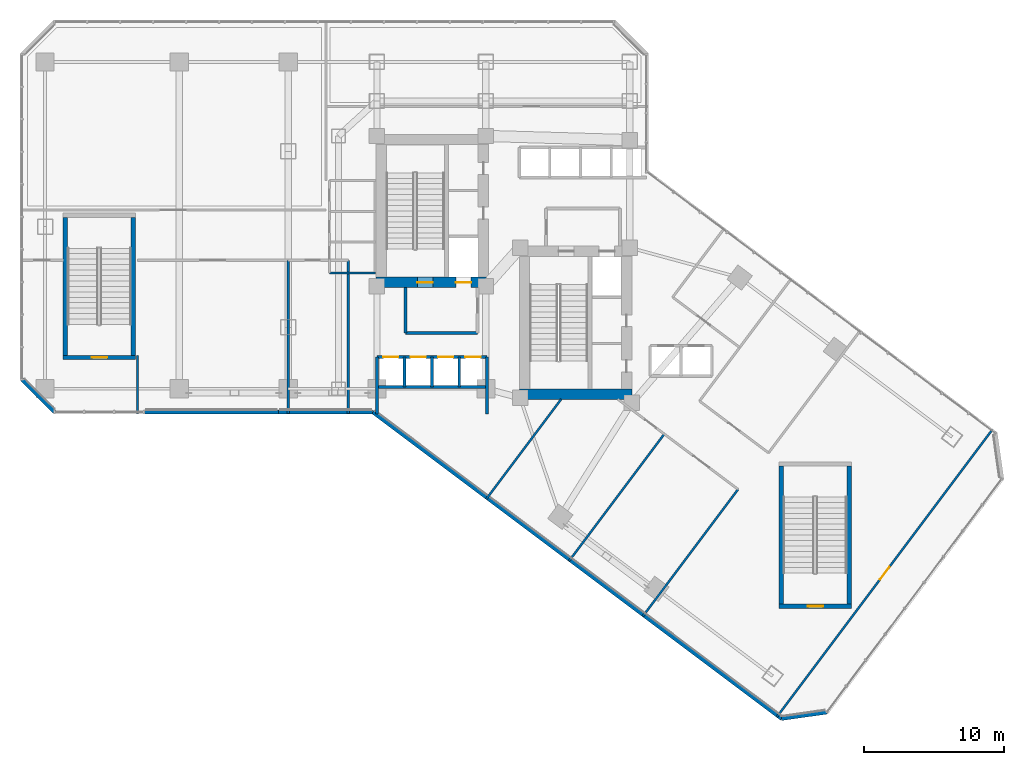
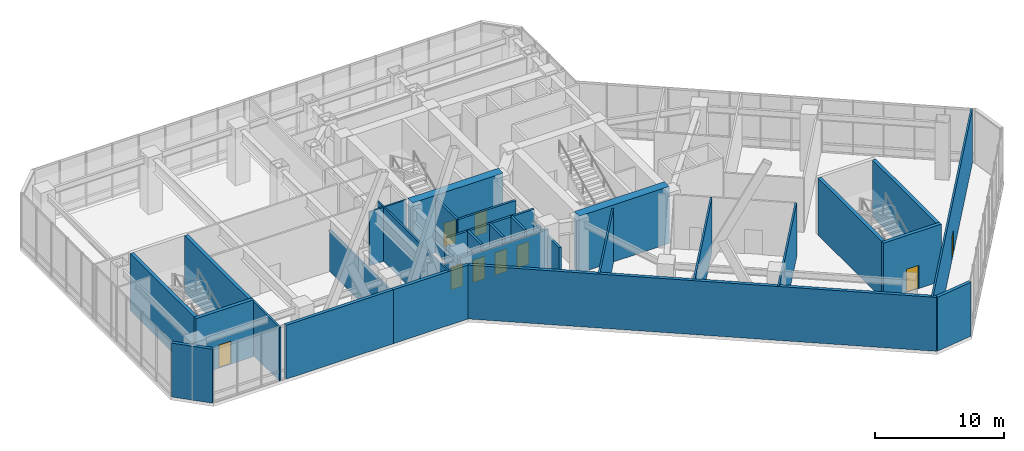
# One storey, part 27 of 35: 30 walls, 9 doors, 9 openings.
"""IFC4 building model written with IfcOpenShell, lengths in metres."""

from ifc_helpers import new_model, si_unit, direction, frame, frame_2d, origin, place, context, subcontext, project, spatial, rectangle, extrude, material, layer, layer_set, type_object, element, fill, save


model = new_model("IFC4")

# Units and contexts
model_context = context("Model", 3, precision=1e-05, world=origin(), true_north=direction((0.0, 1.0)))
body_context = subcontext(model_context, "Body", "Model", "MODEL_VIEW")
ifc_project = project(units=[si_unit("LENGTHUNIT", "METRE"), si_unit("AREAUNIT", "SQUARE_METRE"), si_unit("VOLUMEUNIT", "CUBIC_METRE"), si_unit("PLANEANGLEUNIT", "RADIAN"), si_unit("MASSUNIT", "GRAM", prefix="KILO")], contexts=[model_context])

# Site, building, storey
site_placement = place(None, origin())
site = spatial("IfcSite", under=ifc_project, at=site_placement, CompositionType="ELEMENT")
building_placement = place(site_placement, origin())
building = spatial("IfcBuilding", under=site, at=building_placement, Name="Hatsunagi Terrace Concourse", CompositionType="ELEMENT")
storey_placement = place(building_placement, frame((0.0, 0.0, 5.39990234375)))
storey = spatial("IfcBuildingStorey", under=building, at=storey_placement, Name="L02", CompositionType="ELEMENT", Elevation=5.39990234375)

# Wall, openings, doors
ifc_material_1 = material(Name="Concrete Fc60", Category="concrete")
ifc_layer_1 = layer(ifc_material_1, 0.75)
ifc_layer_set_1 = layer_set([ifc_layer_1], Name="CoreShearWall_Fc60_750")
wall_type_1 = type_object("IfcWallType", Name="CoreShearWall_Fc60_750", PredefinedType="SHEAR", material=ifc_layer_set_1)
wall_1_placement = place(storey_placement, frame((25.469970703125, 32.81494140625, 0.0), z_axis=(0.0, 0.0, 1.0), x_axis=(1.0, 0.0, 0.0)))
wall_1 = element("IfcWall", 1, at=wall_1_placement, inside=storey, type_object=wall_type_1, Name="Core A Shear Wall S L02", PredefinedType="SHEAR", context=body_context, shape_type="SweptSolid", body=[
    extrude(rectangle(XDim=8.080078125, YDim=0.75, at=frame_2d((4.0400390625, 0.0))), origin(), (0.0, 0.0, 1.0), 5.400146484375),
])
opening_1_placement = place(wall_1_placement, frame((2.97998046875, 0.0, 0.0)))
opening_1 = element("IfcOpeningElement", 2, at=opening_1_placement, cuts=wall_1, Name="Opening DR-110S", PredefinedType="OPENING", context=body_context, shape_type="SweptSolid", body=[
    extrude(rectangle(XDim=1.10009765625, YDim=2.199951171875, at=frame_2d((0.550048828125, 1.10009765625))), frame((0.0, 0.385009765625, 0.0), z_axis=(0.0, -1.0, 0.0), x_axis=(1.0, 0.0, 0.0)), (0.0, 0.0, 1.0), 0.77001953125),
])
opening_2_placement = place(wall_1_placement, frame((5.72998046875, 0.0, 0.0)))
opening_2 = element("IfcOpeningElement", 3, at=opening_2_placement, cuts=wall_1, Name="Opening LD-01", PredefinedType="OPENING", context=body_context, shape_type="SweptSolid", body=[
    extrude(rectangle(XDim=1.10009765625, YDim=2.14990234375, at=frame_2d((0.550048828125, 1.074951171875))), frame((0.0, 0.385009765625, 0.0), z_axis=(0.0, -1.0, 0.0), x_axis=(1.0, 0.0, 0.0)), (0.0, 0.0, 1.0), 0.77001953125),
])
ifc_material_2 = material(Name="Stainless steel", Category="steel")
door_type_1 = type_object("IfcDoorType", Name="LiftLandingDoor_LD01", OperationType="SLIDING_TO_LEFT", PredefinedType="USERDEFINED", material=ifc_material_2)
door_1_placement = place(opening_2_placement, origin())
door_1 = element("IfcDoor", 4, at=door_1_placement, inside=storey, type_object=door_type_1, Name="Lift landing door FF-01 L02", ObjectType="SLIDING_LANDING_DOOR", OperationType="SLIDING_TO_LEFT", OverallHeight=2.14990234375, OverallWidth=1.10009765625, PredefinedType="USERDEFINED", context=body_context, shape_type="SweptSolid", body=[
    extrude(rectangle(XDim=1.10009765625, YDim=2.14990234375, at=frame_2d((0.550048828125, 1.074951171875))), frame((0.0, 0.02490234375, 0.0), z_axis=(0.0, -1.0, 0.0), x_axis=(1.0, 0.0, 0.0)), (0.0, 0.0, 1.0), 0.050048828125),
])
fill(opening_2, door_1)
ifc_material_3 = material(Name="Painted steel", Category="steel")
door_type_2 = type_object("IfcDoorType", Name="StairFireDoor_EI60_1100", OperationType="NOTDEFINED", PredefinedType="DOOR", material=ifc_material_3)
door_2_placement = place(opening_1_placement, origin())
door_2 = element("IfcDoor", 5, at=door_2_placement, inside=storey, type_object=door_type_2, Name="Stair ST-A Exit Door L02", OperationType="SINGLE_SWING_LEFT", OverallHeight=2.199951171875, OverallWidth=1.10009765625, PredefinedType="DOOR", context=body_context, shape_type="SweptSolid", body=[
    extrude(rectangle(XDim=1.10009765625, YDim=2.199951171875, at=frame_2d((0.550048828125, 1.10009765625))), frame((0.0, 0.02490234375, 0.0), z_axis=(0.0, -1.0, 0.0), x_axis=(1.0, 0.0, 0.0)), (0.0, 0.0, 1.0), 0.050048828125),
])
fill(opening_1, door_2)

# Wall
wall_2_placement = place(storey_placement, frame((35.739990234375, 24.81494140625, 0.0), z_axis=(0.0, 0.0, 1.0), x_axis=(1.0, 0.0, 0.0)))
element("IfcWall", 6, at=wall_2_placement, inside=storey, type_object=wall_type_1, Name="Core B Shear Wall S L02", PredefinedType="SHEAR", context=body_context, shape_type="SweptSolid", body=[
    extrude(rectangle(XDim=8.06005859375, YDim=0.75, at=frame_2d((4.030029296875, 0.0))), origin(), (0.0, 0.0, 1.0), 5.400146484375),
])

# Wall, opening, door
ifc_material_4 = material(Name="Concrete Fc48", Category="concrete")
ifc_layer_2 = layer(ifc_material_4, 0.300048828125)
ifc_layer_set_2 = layer_set([ifc_layer_2], Name="CoreStairDivider_Fc48_300")
wall_type_2 = type_object("IfcWallType", Name="CoreStairDivider_Fc48_300", PredefinedType="SHEAR", material=ifc_layer_set_2)
wall_3_placement = place(storey_placement, frame((3.090087890625, 27.43994140625, 0.0), z_axis=(0.0, 0.0, 1.0), x_axis=(1.0, 0.0, 0.0)))
wall_3 = element("IfcWall", 7, at=wall_3_placement, inside=storey, type_object=wall_type_2, Name="Podium Stair P1 Shear Wall S L02", PredefinedType="SHEAR", context=body_context, shape_type="SweptSolid", body=[
    extrude(rectangle(XDim=5.169921875, YDim=0.300048828125, at=frame_2d((2.5849609375, 0.0))), origin(), (0.0, 0.0, 1.0), 5.400146484375),
])
opening_3_placement = place(wall_3_placement, frame((2.06005859375, 0.0, 0.0)))
opening_3 = element("IfcOpeningElement", 8, at=opening_3_placement, cuts=wall_3, Name="Opening DR-110S", PredefinedType="OPENING", context=body_context, shape_type="SweptSolid", body=[
    extrude(rectangle(XDim=1.10009765625, YDim=2.199951171875, at=frame_2d((0.550048828125, 1.10009765625))), frame((0.0, 0.159912109375, 0.0), z_axis=(0.0, -1.0, 0.0), x_axis=(1.0, 0.0, 0.0)), (0.0, 0.0, 1.0), 0.320068359375),
])
door_3_placement = place(opening_3_placement, origin())
door_3 = element("IfcDoor", 9, at=door_3_placement, inside=storey, type_object=door_type_2, Name="Stair ST-P1 Exit Door L02", OperationType="SINGLE_SWING_LEFT", OverallHeight=2.199951171875, OverallWidth=1.10009765625, PredefinedType="DOOR", context=body_context, shape_type="SweptSolid", body=[
    extrude(rectangle(XDim=1.10009765625, YDim=2.199951171875, at=frame_2d((0.550048828125, 1.10009765625))), frame((0.0, 0.02490234375, 0.0), z_axis=(0.0, -1.0, 0.0), x_axis=(1.0, 0.0, 0.0)), (0.0, 0.0, 1.0), 0.050048828125),
])
fill(opening_3, door_3)

# Walls
for number, where, z_axis, x_axis, name in (
    (10, (3.239990234375, 27.590087890625, 0.0), (0.0, 0.0, 1.0), (0.0, 1.0, 0.0), "Podium Stair P1 Shear Wall W L02"),
    (11, (8.110107421875, 27.590087890625, 0.0), (0.0, 0.0, 1.0), (0.0, 1.0, 0.0), "Podium Stair P1 Shear Wall E L02"),
):
    element("IfcWall", number, at=place(storey_placement, frame(where, z_axis=z_axis, x_axis=x_axis)), inside=storey, type_object=wall_type_2, Name=name, PredefinedType="SHEAR", context=body_context, shape_type="SweptSolid", body=[
        extrude(rectangle(XDim=9.8798828125, YDim=0.300048828125, at=frame_2d((4.93994140625, 0.0))), origin(), (0.0, 0.0, 1.0), 5.400146484375),
    ])

# Wall, opening, door
wall_4_placement = place(storey_placement, frame((54.340087890625, 9.639892578125, 0.0), z_axis=(0.0, 0.0, 1.0), x_axis=(1.0, 0.0, 0.0)))
wall_4 = element("IfcWall", 12, at=wall_4_placement, inside=storey, type_object=wall_type_2, Name="Podium Stair P2 Shear Wall S L02", PredefinedType="SHEAR", context=body_context, shape_type="SweptSolid", body=[
    extrude(rectangle(XDim=5.169921875, YDim=0.300048828125, at=frame_2d((2.5849609375, 0.0))), origin(), (0.0, 0.0, 1.0), 5.400146484375),
])
opening_4_placement = place(wall_4_placement, frame((2.06005859375, 0.0, 0.0)))
opening_4 = element("IfcOpeningElement", 13, at=opening_4_placement, cuts=wall_4, Name="Opening DR-110S", PredefinedType="OPENING", context=body_context, shape_type="SweptSolid", body=[
    extrude(rectangle(XDim=1.10009765625, YDim=2.199951171875, at=frame_2d((0.550048828125, 1.10009765625))), frame((0.0, 0.159912109375, 0.0), z_axis=(0.0, -1.0, 0.0), x_axis=(1.0, 0.0, 0.0)), (0.0, 0.0, 1.0), 0.320068359375),
])
door_4_placement = place(opening_4_placement, origin())
door_4 = element("IfcDoor", 14, at=door_4_placement, inside=storey, type_object=door_type_2, Name="Stair ST-P2 Exit Door L02", OperationType="SINGLE_SWING_RIGHT", OverallHeight=2.199951171875, OverallWidth=1.10009765625, PredefinedType="DOOR", context=body_context, shape_type="SweptSolid", body=[
    extrude(rectangle(XDim=1.10009765625, YDim=2.199951171875, at=frame_2d((0.550048828125, 1.10009765625))), frame((0.0, 0.02490234375, 0.0), z_axis=(0.0, -1.0, 0.0), x_axis=(1.0, 0.0, 0.0)), (0.0, 0.0, 1.0), 0.050048828125),
])
fill(opening_4, door_4)

# Walls
for number, where, z_axis, x_axis, name in (
    (15, (54.489990234375, 9.7900390625, 0.0), (0.0, 0.0, 1.0), (0.0, 1.0, 0.0), "Podium Stair P2 Shear Wall W L02"),
    (16, (59.360107421875, 9.7900390625, 0.0), (0.0, 0.0, 1.0), (0.0, 1.0, 0.0), "Podium Stair P2 Shear Wall E L02"),
):
    element("IfcWall", number, at=place(storey_placement, frame(where, z_axis=z_axis, x_axis=x_axis)), inside=storey, type_object=wall_type_2, Name=name, PredefinedType="SHEAR", context=body_context, shape_type="SweptSolid", body=[
        extrude(rectangle(XDim=9.8798828125, YDim=0.300048828125, at=frame_2d((4.93994140625, 0.0))), origin(), (0.0, 0.0, 1.0), 5.400146484375),
    ])
ifc_material_5 = material(Name="Acoustic mineral board", Category="gypsum")
ifc_layer_3 = layer(ifc_material_5, 0.14990234375)
ifc_layer_set_3 = layer_set([ifc_layer_3], Name="PartitionWall_EI60_150")
wall_type_3 = type_object("IfcWallType", Name="PartitionWall_EI60_150", PredefinedType="PARTITIONING", material=ifc_layer_set_3)
wall_5_placement = place(storey_placement, frame((22.14990234375, 33.5, 0.0), z_axis=(0.0, 0.0, 1.0), x_axis=(1.0, 0.0, 0.0)))
element("IfcWall", 17, at=wall_5_placement, inside=storey, type_object=wall_type_3, Name="Interior Partition IW-L02-029", PredefinedType="PARTITIONING", context=body_context, shape_type="SweptSolid", body=[
    extrude(rectangle(XDim=3.300048828125, YDim=0.14990234375, at=frame_2d((1.64990234375, 0.0))), origin(), (0.0, 0.0, 1.0), 5.10009765625),
])
wall_6_placement = place(storey_placement, frame((8.39990234375, 23.43994140625, 0.0), z_axis=(0.0, 0.0, 1.0), x_axis=(0.0, 1.0, 0.0)))
element("IfcWall", 18, at=wall_6_placement, inside=storey, type_object=wall_type_3, Name="Interior Partition IW-L02-040", PredefinedType="PARTITIONING", context=body_context, shape_type="SweptSolid", body=[
    extrude(rectangle(XDim=4.150146484375, YDim=0.14990234375, at=frame_2d((2.0751953125, 0.0))), origin(), (0.0, 0.0, 1.0), 5.10009765625),
])
wall_7_placement = place(storey_placement, frame((19.199951171875, 23.43994140625, 0.0), z_axis=(0.0, 0.0, 1.0), x_axis=(0.0, 1.0, 0.0)))
element("IfcWall", 19, at=wall_7_placement, inside=storey, type_object=wall_type_3, Name="Interior Partition IW-L02-042", PredefinedType="PARTITIONING", context=body_context, shape_type="SweptSolid", body=[
    extrude(rectangle(XDim=10.9599609375, YDim=0.14990234375, at=frame_2d((5.47998046875, 0.0))), origin(), (0.0, 0.0, 1.0), 3.89501953125),
])
wall_8_placement = place(storey_placement, frame((23.5, 23.43994140625, 0.0), z_axis=(0.0, 0.0, 1.0), x_axis=(0.0, 1.0, 0.0)))
element("IfcWall", 20, at=wall_8_placement, inside=storey, type_object=wall_type_3, Name="Interior Partition IW-L02-044", PredefinedType="PARTITIONING", context=body_context, shape_type="SweptSolid", body=[
    extrude(rectangle(XDim=10.9599609375, YDim=0.14990234375, at=frame_2d((5.47998046875, 0.0))), origin(), (0.0, 0.0, 1.0), 5.10009765625),
])
wall_9_placement = place(storey_placement, frame((39.303955078125, 12.8720703125, 0.0), z_axis=(0.0, 0.0, 1.0), x_axis=(0.600013754301, 0.79998968409, 0.0)))
element("IfcWall", 21, at=wall_9_placement, inside=storey, type_object=wall_type_3, Name="Interior Partition IW-L02-050", PredefinedType="PARTITIONING", context=body_context, shape_type="SweptSolid", body=[
    extrude(rectangle(XDim=11.360107421875, YDim=0.14990234375, at=frame_2d((5.68017578125, 0.0))), origin(), (0.0, 0.0, 1.0), 5.10009765625),
])
wall_10_placement = place(storey_placement, frame((44.583984375, 8.912109375, 0.0), z_axis=(0.0, 0.0, 1.0), x_axis=(0.6, 0.8, 0.0)))
element("IfcWall", 22, at=wall_10_placement, inside=storey, type_object=wall_type_3, Name="Interior Partition IW-L02-051", PredefinedType="PARTITIONING", context=body_context, shape_type="SweptSolid", body=[
    extrude(rectangle(XDim=11.35986328125, YDim=0.14990234375, at=frame_2d((5.679931640625, 0.0))), origin(), (0.0, 0.0, 1.0), 5.10009765625),
])

# Wall, opening, door
wall_11_placement = place(storey_placement, frame((54.18408203125, 1.7119140625, 0.0), z_axis=(0.0, 0.0, 1.0), x_axis=(0.59999392496, 0.800004556244, 0.0)))
wall_11 = element("IfcWall", 23, at=wall_11_placement, inside=storey, type_object=wall_type_3, Name="Interior Partition IW-L02-052", PredefinedType="PARTITIONING", context=body_context, shape_type="SweptSolid", body=[
    extrude(rectangle(XDim=25.719970703125, YDim=0.14990234375, at=frame_2d((12.85986328125, 0.0))), origin(), (0.0, 0.0, 1.0), 5.10009765625),
])
opening_5_placement = place(wall_11_placement, frame((12.31005859375, 0.0, 0.0)))
opening_5 = element("IfcOpeningElement", 24, at=opening_5_placement, cuts=wall_11, Name="Opening DR-110F", PredefinedType="OPENING", context=body_context, shape_type="SweptSolid", body=[
    extrude(rectangle(XDim=1.10009765625, YDim=2.239990234375, at=frame_2d((0.550048828125, 1.1201171875))), frame((0.0, 0.0849609375, 0.0), z_axis=(0.0, -1.0, 0.0), x_axis=(1.0, 0.0, 0.0)), (0.0, 0.0, 1.0), 0.169921875),
])
ifc_material_6 = material(Name="Painted steel", Category="steel")
door_type_3 = type_object("IfcDoorType", Name="FireDoor_EI60_1100", OperationType="NOTDEFINED", PredefinedType="DOOR", material=ifc_material_6)
door_5_placement = place(opening_5_placement, origin())
door_5 = element("IfcDoor", 25, at=door_5_placement, inside=storey, type_object=door_type_3, Name="Catering Pantry L02-P2TIP Door", OperationType="SINGLE_SWING_RIGHT", OverallHeight=2.239990234375, OverallWidth=1.10009765625, PredefinedType="DOOR", context=body_context, shape_type="SweptSolid", body=[
    extrude(rectangle(XDim=1.10009765625, YDim=2.239990234375, at=frame_2d((0.550048828125, 1.1201171875))), frame((0.0, 0.02490234375, 0.0), z_axis=(0.0, -1.0, 0.0), x_axis=(1.0, 0.0, 0.0)), (0.0, 0.0, 1.0), 0.050048828125),
])
fill(opening_5, door_5)

# Walls
wall_12_placement = place(storey_placement, frame((33.384033203125, 17.31201171875, 0.0), z_axis=(0.0, 0.0, 1.0), x_axis=(0.600008743659, 0.799993442181, 0.0)))
element("IfcWall", 26, at=wall_12_placement, inside=storey, type_object=wall_type_3, Name="Interior Partition IW-L02-056", PredefinedType="PARTITIONING", context=body_context, shape_type="SweptSolid", body=[
    extrude(rectangle(XDim=8.93505859375, YDim=0.14990234375, at=frame_2d((4.467529296875, 0.0))), origin(), (0.0, 0.0, 1.0), 5.10009765625),
])
ifc_material_7 = material(Name="Acoustic mineral board", Category="gypsum")
ifc_layer_4 = layer(ifc_material_7, 0.199951171875)
ifc_layer_set_4 = layer_set([ifc_layer_4], Name="ShaftWall_EI120_200")
wall_type_4 = type_object("IfcWallType", Name="ShaftWall_EI120_200", PredefinedType="STANDARD", material=ifc_layer_set_4)
wall_13_placement = place(storey_placement, frame((27.60009765625, 29.199951171875, 0.0), z_axis=(0.0, 0.0, 1.0), x_axis=(1.0, 0.0, 0.0)))
element("IfcWall", 27, at=wall_13_placement, inside=storey, type_object=wall_type_4, Name="Interior Partition IW-L02-005", PredefinedType="STANDARD", context=body_context, shape_type="SweptSolid", body=[
    extrude(rectangle(XDim=5.14990234375, YDim=0.199951171875, at=frame_2d((2.574951171875, 0.0))), origin(), (0.0, 0.0, 1.0), 5.10009765625),
])
wall_14_placement = place(storey_placement, frame((27.60009765625, 29.199951171875, 0.0), z_axis=(0.0, 0.0, 1.0), x_axis=(0.0, 1.0, 0.0)))
element("IfcWall", 28, at=wall_14_placement, inside=storey, type_object=wall_type_4, Name="Interior Partition IW-L02-006", PredefinedType="STANDARD", context=body_context, shape_type="SweptSolid", body=[
    extrude(rectangle(XDim=3.239990234375, YDim=0.199951171875, at=frame_2d((1.6201171875, 0.0))), origin(), (0.0, 0.0, 1.0), 5.10009765625),
])
for number, where, z_axis, x_axis, name in (
    (29, (25.550048828125, 23.39990234375, 0.0), (0.0, 0.0, 1.0), (0.0, 1.0, 0.0), "Interior Partition IW-L02-011"),
    (30, (33.429931640625, 23.39990234375, 0.0), (0.0, 0.0, 1.0), (0.0, 1.0, 0.0), "Interior Partition IW-L02-012"),
):
    element("IfcWall", number, at=place(storey_placement, frame(where, z_axis=z_axis, x_axis=x_axis)), inside=storey, type_object=wall_type_4, Name=name, PredefinedType="STANDARD", context=body_context, shape_type="SweptSolid", body=[
        extrude(rectangle(XDim=4.080078125, YDim=0.199951171875, at=frame_2d((2.0400390625, 0.0))), origin(), (0.0, 0.0, 1.0), 3.89501953125),
    ])
wall_15_placement = place(storey_placement, frame((25.550048828125, 25.320068359375, 0.0), z_axis=(0.0, 0.0, 1.0), x_axis=(1.0, 0.0, 0.0)))
element("IfcWall", 31, at=wall_15_placement, inside=storey, type_object=wall_type_4, Name="Interior Partition IW-L02-013", PredefinedType="STANDARD", context=body_context, shape_type="SweptSolid", body=[
    extrude(rectangle(XDim=7.8798828125, YDim=0.199951171875, at=frame_2d((3.93994140625, 0.0))), origin(), (0.0, 0.0, 1.0), 4.4951171875),
])
for number, where, z_axis, x_axis, name in (
    (32, (27.530029296875, 25.320068359375, 0.0), (0.0, 0.0, 1.0), (0.0, 1.0, 0.0), "Interior Partition IW-L02-014"),
    (33, (29.489990234375, 25.320068359375, 0.0), (0.0, 0.0, 1.0), (0.0, 1.0, 0.0), "Interior Partition IW-L02-015"),
    (34, (31.449951171875, 25.320068359375, 0.0), (0.0, 0.0, 1.0), (0.0, 1.0, 0.0), "Interior Partition IW-L02-016"),
):
    element("IfcWall", number, at=place(storey_placement, frame(where, z_axis=z_axis, x_axis=x_axis)), inside=storey, type_object=wall_type_4, Name=name, PredefinedType="STANDARD", context=body_context, shape_type="SweptSolid", body=[
        extrude(rectangle(XDim=2.159912109375, YDim=0.199951171875, at=frame_2d((1.080078125, 0.0))), origin(), (0.0, 0.0, 1.0), 5.10009765625),
    ])

# Wall, openings, doors
wall_16_placement = place(storey_placement, frame((25.550048828125, 27.47998046875, 0.0), z_axis=(0.0, 0.0, 1.0), x_axis=(1.0, 0.0, 0.0)))
wall_16 = element("IfcWall", 35, at=wall_16_placement, inside=storey, type_object=wall_type_4, Name="Interior Partition IW-L02-017", PredefinedType="STANDARD", context=body_context, shape_type="SweptSolid", body=[
    extrude(rectangle(XDim=7.8798828125, YDim=0.199951171875, at=frame_2d((3.93994140625, 0.0))), origin(), (0.0, 0.0, 1.0), 5.10009765625),
])
opening_6_placement = place(wall_16_placement, frame((0.4599609375, 0.0, 0.0)))
opening_6 = element("IfcOpeningElement", 36, at=opening_6_placement, cuts=wall_16, Name="Opening LD-03", PredefinedType="OPENING", context=body_context, shape_type="SweptSolid", body=[
    extrude(rectangle(XDim=1.080078125, YDim=2.14990234375, at=frame_2d((0.5400390625, 1.074951171875))), frame((0.0, 0.10986328125, 0.0), z_axis=(0.0, -1.0, 0.0), x_axis=(1.0, 0.0, 0.0)), (0.0, 0.0, 1.0), 0.219970703125),
])
opening_7_placement = place(wall_16_placement, frame((2.419921875, 0.0, 0.0)))
opening_7 = element("IfcOpeningElement", 37, at=opening_7_placement, cuts=wall_16, Name="Opening LD-03", PredefinedType="OPENING", context=body_context, shape_type="SweptSolid", body=[
    extrude(rectangle(XDim=1.080078125, YDim=2.14990234375, at=frame_2d((0.5400390625, 1.074951171875))), frame((0.0, 0.10986328125, 0.0), z_axis=(0.0, -1.0, 0.0), x_axis=(1.0, 0.0, 0.0)), (0.0, 0.0, 1.0), 0.219970703125),
])
opening_8_placement = place(wall_16_placement, frame((4.3798828125, 0.0, 0.0)))
opening_8 = element("IfcOpeningElement", 38, at=opening_8_placement, cuts=wall_16, Name="Opening LD-03", PredefinedType="OPENING", context=body_context, shape_type="SweptSolid", body=[
    extrude(rectangle(XDim=1.080078125, YDim=2.14990234375, at=frame_2d((0.5400390625, 1.074951171875))), frame((0.0, 0.10986328125, 0.0), z_axis=(0.0, -1.0, 0.0), x_axis=(1.0, 0.0, 0.0)), (0.0, 0.0, 1.0), 0.219970703125),
])
opening_9_placement = place(wall_16_placement, frame((6.340087890625, 0.0, 0.0)))
opening_9 = element("IfcOpeningElement", 39, at=opening_9_placement, cuts=wall_16, Name="Opening LD-03", PredefinedType="OPENING", context=body_context, shape_type="SweptSolid", body=[
    extrude(rectangle(XDim=1.080078125, YDim=2.14990234375, at=frame_2d((0.5400390625, 1.074951171875))), frame((0.0, 0.10986328125, 0.0), z_axis=(0.0, -1.0, 0.0), x_axis=(1.0, 0.0, 0.0)), (0.0, 0.0, 1.0), 0.219970703125),
])
ifc_material_8 = material(Name="Stainless steel", Category="steel")
door_type_4 = type_object("IfcDoorType", Name="LiftLandingDoor_LD03", OperationType="SLIDING_TO_LEFT", PredefinedType="USERDEFINED", material=ifc_material_8)
door_6_placement = place(opening_6_placement, origin())
door_6 = element("IfcDoor", 40, at=door_6_placement, inside=storey, type_object=door_type_4, Name="Lift landing door PL-01 L02", ObjectType="SLIDING_LANDING_DOOR", OperationType="SLIDING_TO_LEFT", OverallHeight=2.14990234375, OverallWidth=1.080078125, PredefinedType="USERDEFINED", context=body_context, shape_type="SweptSolid", body=[
    extrude(rectangle(XDim=1.080078125, YDim=2.14990234375, at=frame_2d((0.5400390625, 1.074951171875))), frame((0.0, 0.02490234375, 0.0), z_axis=(0.0, -1.0, 0.0), x_axis=(1.0, 0.0, 0.0)), (0.0, 0.0, 1.0), 0.050048828125),
])
fill(opening_6, door_6)
door_7_placement = place(opening_7_placement, origin())
door_7 = element("IfcDoor", 41, at=door_7_placement, inside=storey, type_object=door_type_4, Name="Lift landing door PL-02 L02", ObjectType="SLIDING_LANDING_DOOR", OperationType="SLIDING_TO_LEFT", OverallHeight=2.14990234375, OverallWidth=1.080078125, PredefinedType="USERDEFINED", context=body_context, shape_type="SweptSolid", body=[
    extrude(rectangle(XDim=1.080078125, YDim=2.14990234375, at=frame_2d((0.5400390625, 1.074951171875))), frame((0.0, 0.02490234375, 0.0), z_axis=(0.0, -1.0, 0.0), x_axis=(1.0, 0.0, 0.0)), (0.0, 0.0, 1.0), 0.050048828125),
])
fill(opening_7, door_7)
door_8_placement = place(opening_8_placement, origin())
door_8 = element("IfcDoor", 42, at=door_8_placement, inside=storey, type_object=door_type_4, Name="Lift landing door PL-03 L02", ObjectType="SLIDING_LANDING_DOOR", OperationType="SLIDING_TO_LEFT", OverallHeight=2.14990234375, OverallWidth=1.080078125, PredefinedType="USERDEFINED", context=body_context, shape_type="SweptSolid", body=[
    extrude(rectangle(XDim=1.080078125, YDim=2.14990234375, at=frame_2d((0.5400390625, 1.074951171875))), frame((0.0, 0.02490234375, 0.0), z_axis=(0.0, -1.0, 0.0), x_axis=(1.0, 0.0, 0.0)), (0.0, 0.0, 1.0), 0.050048828125),
])
fill(opening_8, door_8)
door_9_placement = place(opening_9_placement, origin())
door_9 = element("IfcDoor", 43, at=door_9_placement, inside=storey, type_object=door_type_4, Name="Lift landing door PL-04 L02", ObjectType="SLIDING_LANDING_DOOR", OperationType="SLIDING_TO_LEFT", OverallHeight=2.14990234375, OverallWidth=1.080078125, PredefinedType="USERDEFINED", context=body_context, shape_type="SweptSolid", body=[
    extrude(rectangle(XDim=1.080078125, YDim=2.14990234375, at=frame_2d((0.5400390625, 1.074951171875))), frame((0.0, 0.02490234375, 0.0), z_axis=(0.0, -1.0, 0.0), x_axis=(1.0, 0.0, 0.0)), (0.0, 0.0, 1.0), 0.050048828125),
])
fill(opening_9, door_9)

# Walls
ifc_material_9 = material(Name="Autoclaved Lightweight Concrete and Terracotta Cladding", Category="masonry")
ifc_layer_5 = layer(ifc_material_9, 0.280029296875)
ifc_layer_set_5 = layer_set([ifc_layer_5], Name="TerracottaSpandrelWall_280")
wall_type_5 = type_object("IfcWallType", Name="TerracottaSpandrelWall_280", PredefinedType="STANDARD", material=ifc_layer_set_5)
wall_17_placement = place(storey_placement, frame((57.762939453125, 2.050048828125, 0.0), z_axis=(0.0, 0.0, 1.0), x_axis=(-0.989967361922, -0.141296221922, 0.0)))
element("IfcWall", 44, at=wall_17_placement, inside=storey, type_object=wall_type_5, Name="Exterior Spandrel Wall EW-L02-04", PredefinedType="STANDARD", context=body_context, shape_type="SweptSolid", body=[
    extrude(rectangle(XDim=3.27783203125, YDim=0.280029296875, at=frame_2d((1.638916015625, 0.0))), origin(), (0.0, 0.0, 1.0), 5.10009765625),
])
wall_18_placement = place(storey_placement, frame((54.51806640625, 1.5869140625, 0.0), z_axis=(0.0, 0.0, 1.0), x_axis=(-0.800001601415, 0.599997864774, 0.0)))
element("IfcWall", 45, at=wall_18_placement, inside=storey, type_object=wall_type_5, Name="Exterior Spandrel Wall EW-L02-05", PredefinedType="STANDARD", context=body_context, shape_type="SweptSolid", body=[
    extrude(rectangle(XDim=36.588623046875, YDim=0.280029296875, at=frame_2d((18.29443359375, 0.0))), origin(), (0.0, 0.0, 1.0), 5.10009765625),
])
wall_19_placement = place(storey_placement, frame((25.2470703125, 23.5400390625, 0.0), z_axis=(0.0, 0.0, 1.0), x_axis=(-1.0, 0.0, 0.0)))
element("IfcWall", 46, at=wall_19_placement, inside=storey, type_object=wall_type_5, Name="Exterior Spandrel Wall EW-L02-06", PredefinedType="STANDARD", context=body_context, shape_type="SweptSolid", body=[
    extrude(rectangle(XDim=6.7470703125, YDim=0.280029296875, at=frame_2d((3.37353515625, 0.0))), origin(), (0.0, 0.0, 1.0), 5.10009765625),
])
wall_20_placement = place(storey_placement, frame((18.5, 23.5400390625, 0.0), z_axis=(0.0, 0.0, 1.0), x_axis=(-1.0, 0.0, 0.0)))
element("IfcWall", 47, at=wall_20_placement, inside=storey, type_object=wall_type_5, Name="Exterior Spandrel Wall EW-L02-07", PredefinedType="STANDARD", context=body_context, shape_type="SweptSolid", body=[
    extrude(rectangle(XDim=9.60009765625, YDim=0.280029296875, at=frame_2d((4.800048828125, 0.0))), origin(), (0.0, 0.0, 1.0), 5.10009765625),
])
wall_21_placement = place(storey_placement, frame((2.4580078125, 23.5400390625, 0.0), z_axis=(0.0, 0.0, 1.0), x_axis=(-0.707144017911, 0.707069542501, 0.0)))
element("IfcWall", 48, at=wall_21_placement, inside=storey, type_object=wall_type_5, Name="Exterior Spandrel Wall EW-L02-09", PredefinedType="STANDARD", context=body_context, shape_type="SweptSolid", body=[
    extrude(rectangle(XDim=3.278076171875, YDim=0.280029296875, at=frame_2d((1.63916015625, 0.0))), origin(), (0.0, 0.0, 1.0), 5.10009765625),
])

save(model, "model.ifc")
